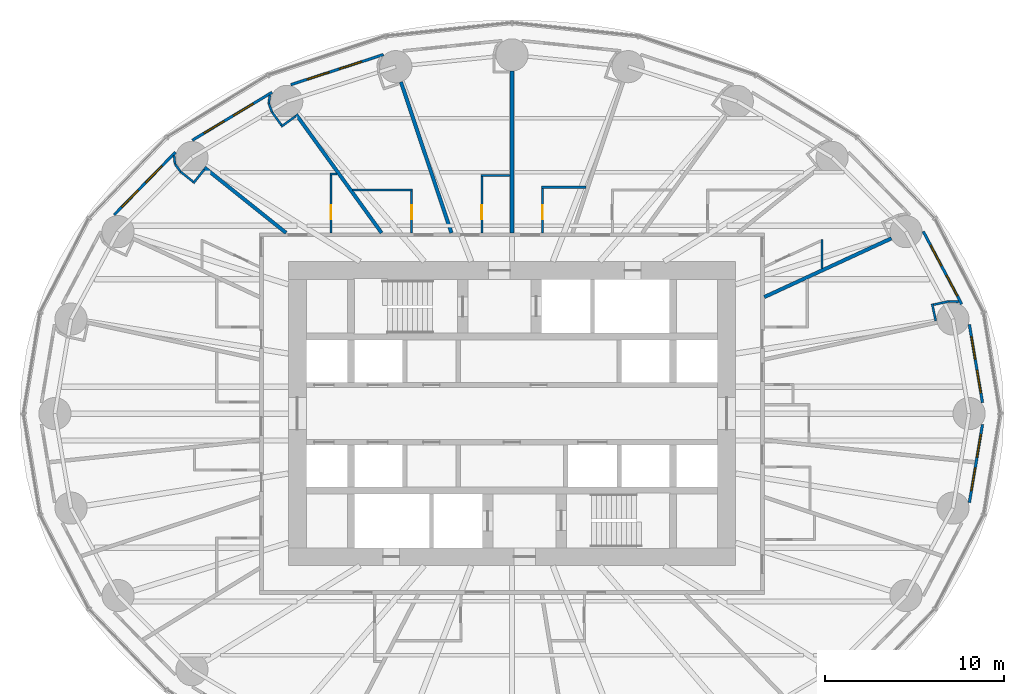
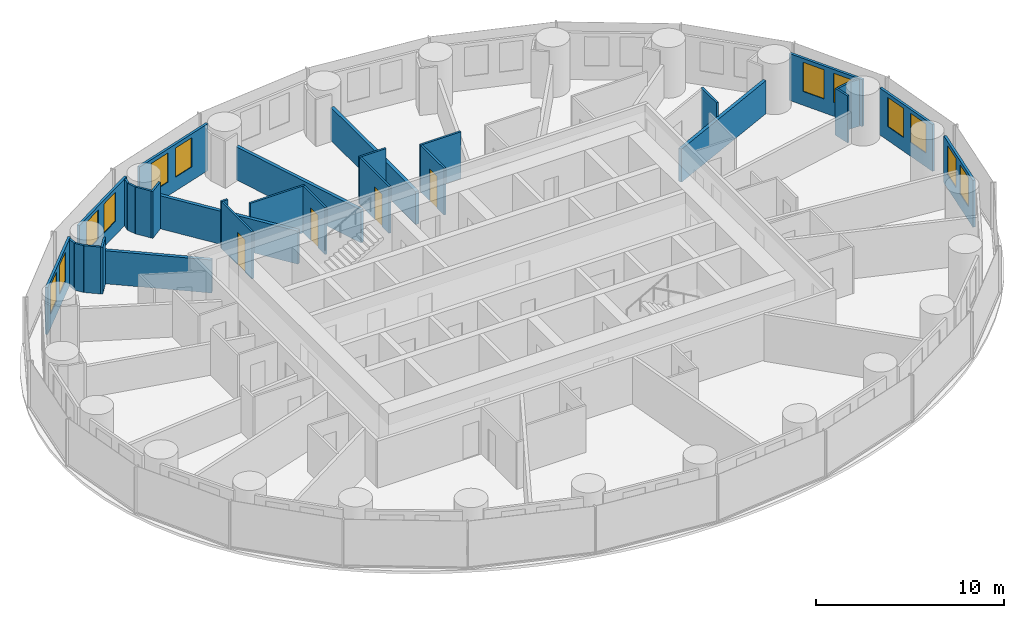
# One storey, part 10 of 13: 31 walls, 12 windows, 4 doors, 16 openings.
"""IFC4 building model written with IfcOpenShell, lengths in metres."""

from ifc_helpers import new_model, si_unit, direction, frame, frame_2d, origin, place, context, subcontext, project, spatial, rectangle, extrude, material, layer, layer_set, type_object, element, fill, save


model = new_model("IFC4")

# Units and contexts
model_context = context("Model", 3, precision=1e-05, world=origin(), true_north=direction((0.0, 1.0)))
body_context = subcontext(model_context, "Body", "Model", "MODEL_VIEW")
ifc_project = project(units=[si_unit("LENGTHUNIT", "METRE"), si_unit("AREAUNIT", "SQUARE_METRE"), si_unit("VOLUMEUNIT", "CUBIC_METRE"), si_unit("PLANEANGLEUNIT", "RADIAN"), si_unit("MASSUNIT", "GRAM", prefix="KILO")], contexts=[model_context])

# Site, building, storey
site_placement = place(None, origin())
site = spatial("IfcSite", under=ifc_project, at=site_placement, CompositionType="ELEMENT")
building_placement = place(site_placement, origin())
building = spatial("IfcBuilding", under=site, at=building_placement, Name="Hankou Lantern Tower", CompositionType="ELEMENT")
storey_placement = place(building_placement, frame((0.0, 0.0, 42.60009765625)))
storey = spatial("IfcBuildingStorey", under=building, at=storey_placement, Name="L09", CompositionType="ELEMENT", Elevation=42.60009765625)

# Wall, openings, windows
ifc_material_1 = material(Name="Aluminium spandrel panel on steel studs", Category="steel")
ifc_layer_1 = layer(ifc_material_1, 0.14990234375)
ifc_layer_set_1 = layer_set([ifc_layer_1], Name="Aluminium spandrel panel on steel studs")
wall_type_1 = type_object("IfcWallType", Name="EW1 INNER SKIN WALL 150", PredefinedType="ELEMENTEDWALL", material=ifc_layer_set_1)
wall_1_placement = place(storey_placement, frame((26.29736328125, 0.611083984375, 0.0), z_axis=(0.0, 0.0, 1.0), x_axis=(-0.165641751141, 0.986185991727, 0.0)))
wall_1 = element("IfcWall", 1, at=wall_1_placement, inside=storey, type_object=wall_type_1, Name="Inner skin R01-R02 L09", PredefinedType="ELEMENTEDWALL", context=body_context, shape_type="SweptSolid", body=[
    extrude(rectangle(XDim=4.427734375, YDim=0.14990234375, at=frame_2d((2.2138671875, 0.0))), origin(), (0.0, 0.0, 1.0), 3.0498046875),
])
opening_1_placement = place(wall_1_placement, frame((0.5498046875, 0.0, 0.89990234375)))
opening_1 = element("IfcOpeningElement", 2, at=opening_1_placement, cuts=wall_1, Name="Opening W9", PredefinedType="OPENING", context=body_context, shape_type="SweptSolid", body=[
    extrude(rectangle(XDim=1.300048828125, YDim=1.89990234375, at=frame_2d((0.64990234375, 0.949951171875))), frame((0.0, 0.0849609375, 0.0), z_axis=(0.0, -1.0, 0.0), x_axis=(1.0, 0.0, 0.0)), (0.0, 0.0, 1.0), 0.169921875),
])
opening_2_placement = place(wall_1_placement, frame((2.44970703125, 0.0, 0.89990234375)))
opening_2 = element("IfcOpeningElement", 3, at=opening_2_placement, cuts=wall_1, Name="Opening W9", PredefinedType="OPENING", context=body_context, shape_type="SweptSolid", body=[
    extrude(rectangle(XDim=1.300048828125, YDim=1.89990234375, at=frame_2d((0.64990234375, 0.949951171875))), frame((0.0, 0.0849609375, 0.0), z_axis=(0.0, -1.0, 0.0), x_axis=(1.0, 0.0, 0.0)), (0.0, 0.0, 1.0), 0.169921875),
])
ifc_material_2 = material(Name="Aluminium framed double glazed window", Category="aluminium")
window_type = type_object("IfcWindowType", Name="W9 GUEST ROOM WINDOW 1300X1900", PartitioningType="DOUBLE_PANEL_VERTICAL", PredefinedType="WINDOW", material=ifc_material_2)
window_1_placement = place(opening_1_placement, origin())
window_1 = element("IfcWindow", 4, at=window_1_placement, inside=storey, type_object=window_type, Name="Window R01.1 L09", OverallHeight=1.89990234375, OverallWidth=1.300048828125, PartitioningType="SINGLE_PANEL", PredefinedType="WINDOW", context=body_context, shape_type="SweptSolid", body=[
    extrude(rectangle(XDim=1.300048828125, YDim=1.89990234375, at=frame_2d((0.64990234375, 0.949951171875))), frame((0.0, 0.030029296875, 0.0), z_axis=(0.0, -1.0, 0.0), x_axis=(1.0, 0.0, 0.0)), (0.0, 0.0, 1.0), 0.06005859375),
])
fill(opening_1, window_1)
window_2_placement = place(opening_2_placement, origin())
window_2 = element("IfcWindow", 5, at=window_2_placement, inside=storey, type_object=window_type, Name="Window R01.2 L09", OverallHeight=1.89990234375, OverallWidth=1.300048828125, PartitioningType="SINGLE_PANEL", PredefinedType="WINDOW", context=body_context, shape_type="SweptSolid", body=[
    extrude(rectangle(XDim=1.300048828125, YDim=1.89990234375, at=frame_2d((0.64990234375, 0.949951171875))), frame((0.0, 0.030029296875, 0.0), z_axis=(0.0, -1.0, 0.0), x_axis=(1.0, 0.0, 0.0)), (0.0, 0.0, 1.0), 0.06005859375),
])
fill(opening_2, window_2)

wall_2_placement = place(storey_placement, frame((25.138671875, 6.11279296875, 0.0), z_axis=(0.0, 0.0, 1.0), x_axis=(-0.467303182954, 0.884097129959, 0.0)))
wall_2 = element("IfcWall", 6, at=wall_2_placement, inside=storey, type_object=wall_type_1, Name="Inner skin R02-R03 L09", PredefinedType="ELEMENTEDWALL", context=body_context, shape_type="SweptSolid", body=[
    extrude(rectangle(XDim=4.6064453125, YDim=0.14990234375, at=frame_2d((2.30322265625, 0.0))), origin(), (0.0, 0.0, 1.0), 3.0498046875),
])
opening_3_placement = place(wall_2_placement, frame((0.531494140625, 0.0, 0.89990234375)))
opening_3 = element("IfcOpeningElement", 7, at=opening_3_placement, cuts=wall_2, Name="Opening W9", PredefinedType="OPENING", context=body_context, shape_type="SweptSolid", body=[
    extrude(rectangle(XDim=1.300048828125, YDim=1.89990234375, at=frame_2d((0.64990234375, 0.949951171875))), frame((0.0, 0.0849609375, 0.0), z_axis=(0.0, -1.0, 0.0), x_axis=(1.0, 0.0, 0.0)), (0.0, 0.0, 1.0), 0.169921875),
])
opening_4_placement = place(wall_2_placement, frame((2.431640625, 0.0, 0.89990234375)))
opening_4 = element("IfcOpeningElement", 8, at=opening_4_placement, cuts=wall_2, Name="Opening W9", PredefinedType="OPENING", context=body_context, shape_type="SweptSolid", body=[
    extrude(rectangle(XDim=1.300048828125, YDim=1.89990234375, at=frame_2d((0.64990234375, 0.949951171875))), frame((0.0, 0.0849609375, 0.0), z_axis=(0.0, -1.0, 0.0), x_axis=(1.0, 0.0, 0.0)), (0.0, 0.0, 1.0), 0.169921875),
])
window_3_placement = place(opening_3_placement, origin())
window_3 = element("IfcWindow", 9, at=window_3_placement, inside=storey, type_object=window_type, Name="Window R02.1 L09", OverallHeight=1.89990234375, OverallWidth=1.300048828125, PartitioningType="SINGLE_PANEL", PredefinedType="WINDOW", context=body_context, shape_type="SweptSolid", body=[
    extrude(rectangle(XDim=1.300048828125, YDim=1.89990234375, at=frame_2d((0.64990234375, 0.949951171875))), frame((0.0, 0.030029296875, 0.0), z_axis=(0.0, -1.0, 0.0), x_axis=(1.0, 0.0, 0.0)), (0.0, 0.0, 1.0), 0.06005859375),
])
fill(opening_3, window_3)
window_4_placement = place(opening_4_placement, origin())
window_4 = element("IfcWindow", 10, at=window_4_placement, inside=storey, type_object=window_type, Name="Window R02.2 L09", OverallHeight=1.89990234375, OverallWidth=1.300048828125, PartitioningType="SINGLE_PANEL", PredefinedType="WINDOW", context=body_context, shape_type="SweptSolid", body=[
    extrude(rectangle(XDim=1.300048828125, YDim=1.89990234375, at=frame_2d((0.64990234375, 0.949951171875))), frame((0.0, 0.030029296875, 0.0), z_axis=(0.0, -1.0, 0.0), x_axis=(1.0, 0.0, 0.0)), (0.0, 0.0, 1.0), 0.06005859375),
])
fill(opening_4, window_4)

wall_3_placement = place(storey_placement, frame((-7.188232421875, 20.06494140625, 0.0), z_axis=(0.0, 0.0, 1.0), x_axis=(-0.951138486029, -0.308764603532, 0.0)))
wall_3 = element("IfcWall", 11, at=wall_3_placement, inside=storey, type_object=wall_type_1, Name="Inner skin R08-R09 L09", PredefinedType="ELEMENTEDWALL", context=body_context, shape_type="SweptSolid", body=[
    extrude(rectangle(XDim=5.444091796875, YDim=0.14990234375, at=frame_2d((2.72216796875, 0.0))), origin(), (0.0, 0.0, 1.0), 3.0498046875),
])
opening_5_placement = place(wall_3_placement, frame((1.2841796875, 0.0, 0.89990234375)))
opening_5 = element("IfcOpeningElement", 12, at=opening_5_placement, cuts=wall_3, Name="Opening W9", PredefinedType="OPENING", context=body_context, shape_type="SweptSolid", body=[
    extrude(rectangle(XDim=1.300048828125, YDim=1.89990234375, at=frame_2d((0.64990234375, 0.949951171875))), frame((0.0, 0.0849609375, 0.0), z_axis=(0.0, -1.0, 0.0), x_axis=(1.0, 0.0, 0.0)), (0.0, 0.0, 1.0), 0.169921875),
])
opening_6_placement = place(wall_3_placement, frame((3.18408203125, 0.0, 0.89990234375)))
opening_6 = element("IfcOpeningElement", 13, at=opening_6_placement, cuts=wall_3, Name="Opening W9", PredefinedType="OPENING", context=body_context, shape_type="SweptSolid", body=[
    extrude(rectangle(XDim=1.300048828125, YDim=1.89990234375, at=frame_2d((0.64990234375, 0.949951171875))), frame((0.0, 0.0849609375, 0.0), z_axis=(0.0, -1.0, 0.0), x_axis=(1.0, 0.0, 0.0)), (0.0, 0.0, 1.0), 0.169921875),
])
window_5_placement = place(opening_5_placement, origin())
window_5 = element("IfcWindow", 14, at=window_5_placement, inside=storey, type_object=window_type, Name="Window R08.1 L09", OverallHeight=1.89990234375, OverallWidth=1.300048828125, PartitioningType="SINGLE_PANEL", PredefinedType="WINDOW", context=body_context, shape_type="SweptSolid", body=[
    extrude(rectangle(XDim=1.300048828125, YDim=1.89990234375, at=frame_2d((0.64990234375, 0.949951171875))), frame((0.0, 0.030029296875, 0.0), z_axis=(0.0, -1.0, 0.0), x_axis=(1.0, 0.0, 0.0)), (0.0, 0.0, 1.0), 0.06005859375),
])
fill(opening_5, window_5)
window_6_placement = place(opening_6_placement, origin())
window_6 = element("IfcWindow", 15, at=window_6_placement, inside=storey, type_object=window_type, Name="Window R08.2 L09", OverallHeight=1.89990234375, OverallWidth=1.300048828125, PartitioningType="SINGLE_PANEL", PredefinedType="WINDOW", context=body_context, shape_type="SweptSolid", body=[
    extrude(rectangle(XDim=1.300048828125, YDim=1.89990234375, at=frame_2d((0.64990234375, 0.949951171875))), frame((0.0, 0.030029296875, 0.0), z_axis=(0.0, -1.0, 0.0), x_axis=(1.0, 0.0, 0.0)), (0.0, 0.0, 1.0), 0.06005859375),
])
fill(opening_6, window_6)

wall_4_placement = place(storey_placement, frame((-13.412109375, 17.957275390625, 0.0), z_axis=(0.0, 0.0, 1.0), x_axis=(-0.856958191554, -0.515385931054, 0.0)))
wall_4 = element("IfcWall", 16, at=wall_4_placement, inside=storey, type_object=wall_type_1, Name="Inner skin R09-R10 L09", PredefinedType="ELEMENTEDWALL", context=body_context, shape_type="SweptSolid", body=[
    extrude(rectangle(XDim=5.201171875, YDim=0.14990234375, at=frame_2d((2.6005859375, 0.0))), origin(), (0.0, 0.0, 1.0), 3.0498046875),
])
opening_7_placement = place(wall_4_placement, frame((1.22509765625, 0.0, 0.89990234375)))
opening_7 = element("IfcOpeningElement", 17, at=opening_7_placement, cuts=wall_4, Name="Opening W9", PredefinedType="OPENING", context=body_context, shape_type="SweptSolid", body=[
    extrude(rectangle(XDim=1.300048828125, YDim=1.89990234375, at=frame_2d((0.64990234375, 0.949951171875))), frame((0.0, 0.0849609375, 0.0), z_axis=(0.0, -1.0, 0.0), x_axis=(1.0, 0.0, 0.0)), (0.0, 0.0, 1.0), 0.169921875),
])
opening_8_placement = place(wall_4_placement, frame((3.125, 0.0, 0.89990234375)))
opening_8 = element("IfcOpeningElement", 18, at=opening_8_placement, cuts=wall_4, Name="Opening W9", PredefinedType="OPENING", context=body_context, shape_type="SweptSolid", body=[
    extrude(rectangle(XDim=1.300048828125, YDim=1.89990234375, at=frame_2d((0.64990234375, 0.949951171875))), frame((0.0, 0.0849609375, 0.0), z_axis=(0.0, -1.0, 0.0), x_axis=(1.0, 0.0, 0.0)), (0.0, 0.0, 1.0), 0.169921875),
])
window_7_placement = place(opening_7_placement, origin())
window_7 = element("IfcWindow", 19, at=window_7_placement, inside=storey, type_object=window_type, Name="Window R09.1 L09", OverallHeight=1.89990234375, OverallWidth=1.300048828125, PartitioningType="SINGLE_PANEL", PredefinedType="WINDOW", context=body_context, shape_type="SweptSolid", body=[
    extrude(rectangle(XDim=1.300048828125, YDim=1.89990234375, at=frame_2d((0.64990234375, 0.949951171875))), frame((0.0, 0.030029296875, 0.0), z_axis=(0.0, -1.0, 0.0), x_axis=(1.0, 0.0, 0.0)), (0.0, 0.0, 1.0), 0.06005859375),
])
fill(opening_7, window_7)
window_8_placement = place(opening_8_placement, origin())
window_8 = element("IfcWindow", 20, at=window_8_placement, inside=storey, type_object=window_type, Name="Window R09.2 L09", OverallHeight=1.89990234375, OverallWidth=1.300048828125, PartitioningType="SINGLE_PANEL", PredefinedType="WINDOW", context=body_context, shape_type="SweptSolid", body=[
    extrude(rectangle(XDim=1.300048828125, YDim=1.89990234375, at=frame_2d((0.64990234375, 0.949951171875))), frame((0.0, 0.030029296875, 0.0), z_axis=(0.0, -1.0, 0.0), x_axis=(1.0, 0.0, 0.0)), (0.0, 0.0, 1.0), 0.06005859375),
])
fill(opening_8, window_8)

wall_5_placement = place(storey_placement, frame((-18.8134765625, 14.606689453125, 0.0), z_axis=(0.0, 0.0, 1.0), x_axis=(-0.699612594083, -0.714522370679, 0.0)))
wall_5 = element("IfcWall", 21, at=wall_5_placement, inside=storey, type_object=wall_type_1, Name="Inner skin R10-R11 L09", PredefinedType="ELEMENTEDWALL", context=body_context, shape_type="SweptSolid", body=[
    extrude(rectangle(XDim=4.89599609375, YDim=0.14990234375, at=frame_2d((2.447998046875, 0.0))), origin(), (0.0, 0.0, 1.0), 3.0498046875),
])
opening_9_placement = place(wall_5_placement, frame((1.076904296875, 0.0, 0.89990234375)))
opening_9 = element("IfcOpeningElement", 22, at=opening_9_placement, cuts=wall_5, Name="Opening W9", PredefinedType="OPENING", context=body_context, shape_type="SweptSolid", body=[
    extrude(rectangle(XDim=1.300048828125, YDim=1.89990234375, at=frame_2d((0.64990234375, 0.949951171875))), frame((0.0, 0.0849609375, 0.0), z_axis=(0.0, -1.0, 0.0), x_axis=(1.0, 0.0, 0.0)), (0.0, 0.0, 1.0), 0.169921875),
])
opening_10_placement = place(wall_5_placement, frame((2.976806640625, 0.0, 0.89990234375)))
opening_10 = element("IfcOpeningElement", 23, at=opening_10_placement, cuts=wall_5, Name="Opening W9", PredefinedType="OPENING", context=body_context, shape_type="SweptSolid", body=[
    extrude(rectangle(XDim=1.300048828125, YDim=1.89990234375, at=frame_2d((0.64990234375, 0.949951171875))), frame((0.0, 0.0849609375, 0.0), z_axis=(0.0, -1.0, 0.0), x_axis=(1.0, 0.0, 0.0)), (0.0, 0.0, 1.0), 0.169921875),
])
window_9_placement = place(opening_9_placement, origin())
window_9 = element("IfcWindow", 24, at=window_9_placement, inside=storey, type_object=window_type, Name="Window R10.1 L09", OverallHeight=1.89990234375, OverallWidth=1.300048828125, PartitioningType="SINGLE_PANEL", PredefinedType="WINDOW", context=body_context, shape_type="SweptSolid", body=[
    extrude(rectangle(XDim=1.300048828125, YDim=1.89990234375, at=frame_2d((0.64990234375, 0.949951171875))), frame((0.0, 0.030029296875, 0.0), z_axis=(0.0, -1.0, 0.0), x_axis=(1.0, 0.0, 0.0)), (0.0, 0.0, 1.0), 0.06005859375),
])
fill(opening_9, window_9)
window_10_placement = place(opening_10_placement, origin())
window_10 = element("IfcWindow", 25, at=window_10_placement, inside=storey, type_object=window_type, Name="Window R10.2 L09", OverallHeight=1.89990234375, OverallWidth=1.300048828125, PartitioningType="SINGLE_PANEL", PredefinedType="WINDOW", context=body_context, shape_type="SweptSolid", body=[
    extrude(rectangle(XDim=1.300048828125, YDim=1.89990234375, at=frame_2d((0.64990234375, 0.949951171875))), frame((0.0, 0.030029296875, 0.0), z_axis=(0.0, -1.0, 0.0), x_axis=(1.0, 0.0, 0.0)), (0.0, 0.0, 1.0), 0.06005859375),
])
fill(opening_10, window_10)

wall_6_placement = place(storey_placement, frame((25.56396484375, -4.9775390625, 0.0), z_axis=(0.0, 0.0, 1.0), x_axis=(0.165641751141, 0.986185991727, 0.0)))
wall_6 = element("IfcWall", 26, at=wall_6_placement, inside=storey, type_object=wall_type_1, Name="Inner skin R24-R01 L09", PredefinedType="ELEMENTEDWALL", context=body_context, shape_type="SweptSolid", body=[
    extrude(rectangle(XDim=4.427734375, YDim=0.14990234375, at=frame_2d((2.2138671875, 0.0))), origin(), (0.0, 0.0, 1.0), 3.0498046875),
])
opening_11_placement = place(wall_6_placement, frame((0.677734375, 0.0, 0.89990234375)))
opening_11 = element("IfcOpeningElement", 27, at=opening_11_placement, cuts=wall_6, Name="Opening W9", PredefinedType="OPENING", context=body_context, shape_type="SweptSolid", body=[
    extrude(rectangle(XDim=1.300048828125, YDim=1.89990234375, at=frame_2d((0.64990234375, 0.949951171875))), frame((0.0, 0.0849609375, 0.0), z_axis=(0.0, -1.0, 0.0), x_axis=(1.0, 0.0, 0.0)), (0.0, 0.0, 1.0), 0.169921875),
])
opening_12_placement = place(wall_6_placement, frame((2.57763671875, 0.0, 0.89990234375)))
opening_12 = element("IfcOpeningElement", 28, at=opening_12_placement, cuts=wall_6, Name="Opening W9", PredefinedType="OPENING", context=body_context, shape_type="SweptSolid", body=[
    extrude(rectangle(XDim=1.300048828125, YDim=1.89990234375, at=frame_2d((0.64990234375, 0.949951171875))), frame((0.0, 0.0849609375, 0.0), z_axis=(0.0, -1.0, 0.0), x_axis=(1.0, 0.0, 0.0)), (0.0, 0.0, 1.0), 0.169921875),
])
window_11_placement = place(opening_11_placement, origin())
window_11 = element("IfcWindow", 29, at=window_11_placement, inside=storey, type_object=window_type, Name="Window R24.1 L09", OverallHeight=1.89990234375, OverallWidth=1.300048828125, PartitioningType="SINGLE_PANEL", PredefinedType="WINDOW", context=body_context, shape_type="SweptSolid", body=[
    extrude(rectangle(XDim=1.300048828125, YDim=1.89990234375, at=frame_2d((0.64990234375, 0.949951171875))), frame((0.0, 0.030029296875, 0.0), z_axis=(0.0, -1.0, 0.0), x_axis=(1.0, 0.0, 0.0)), (0.0, 0.0, 1.0), 0.06005859375),
])
fill(opening_11, window_11)
window_12_placement = place(opening_12_placement, origin())
window_12 = element("IfcWindow", 30, at=window_12_placement, inside=storey, type_object=window_type, Name="Window R24.2 L09", OverallHeight=1.89990234375, OverallWidth=1.300048828125, PartitioningType="SINGLE_PANEL", PredefinedType="WINDOW", context=body_context, shape_type="SweptSolid", body=[
    extrude(rectangle(XDim=1.300048828125, YDim=1.89990234375, at=frame_2d((0.64990234375, 0.949951171875))), frame((0.0, 0.030029296875, 0.0), z_axis=(0.0, -1.0, 0.0), x_axis=(1.0, 0.0, 0.0)), (0.0, 0.0, 1.0), 0.06005859375),
])
fill(opening_12, window_12)

# Walls
ifc_material_3 = material(Name="Masonry lightweight concrete block", Category="masonry")
ifc_layer_2 = layer(ifc_material_3, 0.199951171875)
ifc_layer_set_2 = layer_set([ifc_layer_2], Name="Masonry lightweight concrete block")
wall_type_2 = type_object("IfcWallType", Name="IW1 GUEST ROOM PARTY WALL 200", PredefinedType="PARTITIONING", material=ifc_layer_set_2)
wall_7_placement = place(storey_placement, frame((14.10009765625, 6.512451171875, 0.0), z_axis=(0.0, 0.0, 1.0), x_axis=(0.907842433118, 0.41931147925, 0.0)))
element("IfcWall", 31, at=wall_7_placement, inside=storey, type_object=wall_type_2, Name="Party wall R03", PredefinedType="PARTITIONING", context=body_context, shape_type="SweptSolid", body=[
    extrude(rectangle(XDim=7.822998046875, YDim=0.199951171875, at=frame_2d((3.91162109375, 0.0))), origin(), (0.0, 0.0, 1.0), 2.14990234375),
])
wall_8_placement = place(storey_placement, frame((0.0, 10.10009765625, 0.0), z_axis=(0.0, 0.0, 1.0), x_axis=(0.0, 1.0, 0.0)))
element("IfcWall", 32, at=wall_8_placement, inside=storey, type_object=wall_type_2, Name="Party wall R07", PredefinedType="PARTITIONING", context=body_context, shape_type="SweptSolid", body=[
    extrude(rectangle(XDim=9.0498046875, YDim=0.199951171875, at=frame_2d((4.52490234375, 0.0))), origin(), (0.0, 0.0, 1.0), 2.14990234375),
])
wall_9_placement = place(storey_placement, frame((-3.3828125, 10.10009765625, 0.0), z_axis=(0.0, 0.0, 1.0), x_axis=(-0.317593727596, 0.948226884344, 0.0)))
element("IfcWall", 33, at=wall_9_placement, inside=storey, type_object=wall_type_2, Name="Party wall R08", PredefinedType="PARTITIONING", context=body_context, shape_type="SweptSolid", body=[
    extrude(rectangle(XDim=8.898681640625, YDim=0.199951171875, at=frame_2d((4.44921875, 0.0))), origin(), (0.0, 0.0, 1.0), 2.14990234375),
])
wall_10_placement = place(storey_placement, frame((-7.2890625, 10.10009765625, 0.0), z_axis=(0.0, 0.0, 1.0), x_axis=(-0.585216319319, 0.810877216108, 0.0)))
element("IfcWall", 34, at=wall_10_placement, inside=storey, type_object=wall_type_2, Name="Party wall R09", PredefinedType="PARTITIONING", context=body_context, shape_type="SweptSolid", body=[
    extrude(rectangle(XDim=8.15966796875, YDim=0.199951171875, at=frame_2d((4.079833984375, 0.0))), origin(), (0.0, 0.0, 1.0), 2.14990234375),
])
wall_11_placement = place(storey_placement, frame((-12.625, 10.10009765625, 0.0), z_axis=(0.0, 0.0, 1.0), x_axis=(-0.780872884676, 0.624689953479, 0.0)))
element("IfcWall", 35, at=wall_11_placement, inside=storey, type_object=wall_type_2, Name="Party wall R10", PredefinedType="PARTITIONING", context=body_context, shape_type="SweptSolid", body=[
    extrude(rectangle(XDim=5.8447265625, YDim=0.199951171875, at=frame_2d((2.92236328125, 0.0))), origin(), (0.0, 0.0, 1.0), 2.14990234375),
])
ifc_material_4 = material(Name="Masonry lightweight concrete block", Category="masonry")
ifc_layer_3 = layer(ifc_material_4, 0.1201171875)
ifc_layer_set_3 = layer_set([ifc_layer_3], Name="Masonry lightweight concrete block")
wall_type_3 = type_object("IfcWallType", Name="IW3 BATHROOM WALL 120", PredefinedType="PARTITIONING", material=ifc_layer_set_3)
wall_12_placement = place(storey_placement, frame((17.32275390625, 8.10107421875, 0.0), z_axis=(0.0, 0.0, 1.0), x_axis=(0.0, 1.0, 0.0)))
element("IfcWall", 36, at=wall_12_placement, inside=storey, type_object=wall_type_3, Name="Box wall 0903 1", PredefinedType="PARTITIONING", context=body_context, shape_type="SweptSolid", body=[
    extrude(rectangle(XDim=1.639892578125, YDim=0.1201171875, at=frame_2d((0.81982421875, 0.0))), origin(), (0.0, 0.0, 1.0), 3.0498046875),
])
wall_13_placement = place(storey_placement, frame((4.136962890625, 12.64990234375, 0.0), z_axis=(0.0, 0.0, 1.0), x_axis=(-1.0, 0.0, 0.0)))
element("IfcWall", 37, at=wall_13_placement, inside=storey, type_object=wall_type_3, Name="Box wall 0906 1", PredefinedType="PARTITIONING", context=body_context, shape_type="SweptSolid", body=[
    extrude(rectangle(XDim=2.494140625, YDim=0.1201171875, at=frame_2d((1.2470703125, 0.0))), origin(), (0.0, 0.0, 1.0), 3.0498046875),
])

# Wall, opening, door
wall_14_placement = place(storey_placement, frame((1.702880859375, 10.10009765625, 0.0), z_axis=(0.0, 0.0, 1.0), x_axis=(0.0, 1.0, 0.0)))
wall_14 = element("IfcWall", 38, at=wall_14_placement, inside=storey, type_object=wall_type_3, Name="Box wall 0906 1", PredefinedType="PARTITIONING", context=body_context, shape_type="SweptSolid", body=[
    extrude(rectangle(XDim=2.489990234375, YDim=0.1201171875, at=frame_2d((1.2451171875, 0.0))), origin(), (0.0, 0.0, 1.0), 3.0498046875),
])
opening_13_placement = place(wall_14_placement, frame((0.75, 0.0, 0.0)))
opening_13 = element("IfcOpeningElement", 39, at=opening_13_placement, cuts=wall_14, Name="Opening D3", PredefinedType="OPENING", context=body_context, shape_type="SweptSolid", body=[
    extrude(rectangle(XDim=0.800048828125, YDim=2.10009765625, at=frame_2d((0.39990234375, 1.050048828125))), frame((0.0, 0.070068359375, 0.0), z_axis=(0.0, -1.0, 0.0), x_axis=(1.0, 0.0, 0.0)), (0.0, 0.0, 1.0), 0.14013671875),
])
ifc_material_5 = material(Name="Timber door leaf", Category="wood")
door_type = type_object("IfcDoorType", Name="D3 BATHROOM DOOR 800X2100", OperationType="SINGLE_SWING_LEFT", PredefinedType="DOOR", material=ifc_material_5)
door_1_placement = place(opening_13_placement, origin())
door_1 = element("IfcDoor", 40, at=door_1_placement, inside=storey, type_object=door_type, Name="En-suite bathroom 0906 door", OperationType="SINGLE_SWING_LEFT", OverallHeight=2.10009765625, OverallWidth=0.800048828125, PredefinedType="DOOR", context=body_context, shape_type="SweptSolid", body=[
    extrude(rectangle(XDim=0.800048828125, YDim=2.10009765625, at=frame_2d((0.39990234375, 1.050048828125))), frame((0.0, 0.02490234375, 0.0), z_axis=(0.0, -1.0, 0.0), x_axis=(1.0, 0.0, 0.0)), (0.0, 0.0, 1.0), 0.050048828125),
])
fill(opening_13, door_1)

# Wall
wall_15_placement = place(storey_placement, frame((-0.10009765625, 13.300048828125, 0.0), z_axis=(0.0, 0.0, 1.0), x_axis=(-1.0, 0.0, 0.0)))
element("IfcWall", 41, at=wall_15_placement, inside=storey, type_object=wall_type_3, Name="Box wall 0907 1", PredefinedType="PARTITIONING", context=body_context, shape_type="SweptSolid", body=[
    extrude(rectangle(XDim=1.639892578125, YDim=0.1201171875, at=frame_2d((0.81982421875, 0.0))), origin(), (0.0, 0.0, 1.0), 3.0498046875),
])

# Wall, opening, door
wall_16_placement = place(storey_placement, frame((-1.679931640625, 10.10009765625, 0.0), z_axis=(0.0, 0.0, 1.0), x_axis=(0.0, 1.0, 0.0)))
wall_16 = element("IfcWall", 42, at=wall_16_placement, inside=storey, type_object=wall_type_3, Name="Box wall 0907 1", PredefinedType="PARTITIONING", context=body_context, shape_type="SweptSolid", body=[
    extrude(rectangle(XDim=3.139892578125, YDim=0.1201171875, at=frame_2d((1.56982421875, 0.0))), origin(), (0.0, 0.0, 1.0), 3.0498046875),
])
opening_14_placement = place(wall_16_placement, frame((0.75, 0.0, 0.0)))
opening_14 = element("IfcOpeningElement", 43, at=opening_14_placement, cuts=wall_16, Name="Opening D3", PredefinedType="OPENING", context=body_context, shape_type="SweptSolid", body=[
    extrude(rectangle(XDim=0.800048828125, YDim=2.10009765625, at=frame_2d((0.39990234375, 1.050048828125))), frame((0.0, 0.070068359375, 0.0), z_axis=(0.0, -1.0, 0.0), x_axis=(1.0, 0.0, 0.0)), (0.0, 0.0, 1.0), 0.14013671875),
])
door_2_placement = place(opening_14_placement, origin())
door_2 = element("IfcDoor", 44, at=door_2_placement, inside=storey, type_object=door_type, Name="En-suite bathroom 0907 door", OperationType="SINGLE_SWING_LEFT", OverallHeight=2.10009765625, OverallWidth=0.800048828125, PredefinedType="DOOR", context=body_context, shape_type="SweptSolid", body=[
    extrude(rectangle(XDim=0.800048828125, YDim=2.10009765625, at=frame_2d((0.39990234375, 1.050048828125))), frame((0.0, 0.02490234375, 0.0), z_axis=(0.0, -1.0, 0.0), x_axis=(1.0, 0.0, 0.0)), (0.0, 0.0, 1.0), 0.050048828125),
])
fill(opening_14, door_2)

# Wall
wall_17_placement = place(storey_placement, frame((-8.921142578125, 12.5, 0.0), z_axis=(0.0, 0.0, 1.0), x_axis=(1.0, 0.0, 0.0)))
element("IfcWall", 45, at=wall_17_placement, inside=storey, type_object=wall_type_3, Name="Box wall 0908 1", PredefinedType="PARTITIONING", context=body_context, shape_type="SweptSolid", body=[
    extrude(rectangle(XDim=3.3720703125, YDim=0.1201171875, at=frame_2d((1.68603515625, 0.0))), origin(), (0.0, 0.0, 1.0), 3.0498046875),
])

# Wall, opening, door
wall_18_placement = place(storey_placement, frame((-5.609130859375, 10.10009765625, 0.0), z_axis=(0.0, 0.0, 1.0), x_axis=(0.0, 1.0, 0.0)))
wall_18 = element("IfcWall", 46, at=wall_18_placement, inside=storey, type_object=wall_type_3, Name="Box wall 0908 1", PredefinedType="PARTITIONING", context=body_context, shape_type="SweptSolid", body=[
    extrude(rectangle(XDim=2.33984375, YDim=0.1201171875, at=frame_2d((1.169921875, 0.0))), origin(), (0.0, 0.0, 1.0), 3.0498046875),
])
opening_15_placement = place(wall_18_placement, frame((0.75, 0.0, 0.0)))
opening_15 = element("IfcOpeningElement", 47, at=opening_15_placement, cuts=wall_18, Name="Opening D3", PredefinedType="OPENING", context=body_context, shape_type="SweptSolid", body=[
    extrude(rectangle(XDim=0.800048828125, YDim=2.10009765625, at=frame_2d((0.39990234375, 1.050048828125))), frame((0.0, 0.070068359375, 0.0), z_axis=(0.0, -1.0, 0.0), x_axis=(1.0, 0.0, 0.0)), (0.0, 0.0, 1.0), 0.14013671875),
])
door_3_placement = place(opening_15_placement, origin())
door_3 = element("IfcDoor", 48, at=door_3_placement, inside=storey, type_object=door_type, Name="En-suite bathroom 0908 door", OperationType="SINGLE_SWING_LEFT", OverallHeight=2.10009765625, OverallWidth=0.800048828125, PredefinedType="DOOR", context=body_context, shape_type="SweptSolid", body=[
    extrude(rectangle(XDim=0.800048828125, YDim=2.10009765625, at=frame_2d((0.39990234375, 1.050048828125))), frame((0.0, 0.02490234375, 0.0), z_axis=(0.0, -1.0, 0.0), x_axis=(1.0, 0.0, 0.0)), (0.0, 0.0, 1.0), 0.050048828125),
])
fill(opening_15, door_3)

# Wall
wall_19_placement = place(storey_placement, frame((-9.7705078125, 13.39990234375, 0.0), z_axis=(0.0, 0.0, 1.0), x_axis=(-1.0, 0.0, 0.0)))
element("IfcWall", 49, at=wall_19_placement, inside=storey, type_object=wall_type_3, Name="Box wall 0909 1", PredefinedType="PARTITIONING", context=body_context, shape_type="SweptSolid", body=[
    extrude(rectangle(XDim=0.408447265625, YDim=0.1201171875, at=frame_2d((0.2041015625, 0.0))), origin(), (0.0, 0.0, 1.0), 3.0498046875),
])

# Wall, opening, door
wall_20_placement = place(storey_placement, frame((-10.119140625, 10.10009765625, 0.0), z_axis=(0.0, 0.0, 1.0), x_axis=(0.0, 1.0, 0.0)))
wall_20 = element("IfcWall", 50, at=wall_20_placement, inside=storey, type_object=wall_type_3, Name="Box wall 0909 1", PredefinedType="PARTITIONING", context=body_context, shape_type="SweptSolid", body=[
    extrude(rectangle(XDim=3.239990234375, YDim=0.1201171875, at=frame_2d((1.6201171875, 0.0))), origin(), (0.0, 0.0, 1.0), 3.0498046875),
])
opening_16_placement = place(wall_20_placement, frame((0.75, 0.0, 0.0)))
opening_16 = element("IfcOpeningElement", 51, at=opening_16_placement, cuts=wall_20, Name="Opening D3", PredefinedType="OPENING", context=body_context, shape_type="SweptSolid", body=[
    extrude(rectangle(XDim=0.800048828125, YDim=2.10009765625, at=frame_2d((0.39990234375, 1.050048828125))), frame((0.0, 0.070068359375, 0.0), z_axis=(0.0, -1.0, 0.0), x_axis=(1.0, 0.0, 0.0)), (0.0, 0.0, 1.0), 0.14013671875),
])
door_4_placement = place(opening_16_placement, origin())
door_4 = element("IfcDoor", 52, at=door_4_placement, inside=storey, type_object=door_type, Name="En-suite bathroom 0909 door", OperationType="SINGLE_SWING_LEFT", OverallHeight=2.10009765625, OverallWidth=0.800048828125, PredefinedType="DOOR", context=body_context, shape_type="SweptSolid", body=[
    extrude(rectangle(XDim=0.800048828125, YDim=2.10009765625, at=frame_2d((0.39990234375, 1.050048828125))), frame((0.0, 0.02490234375, 0.0), z_axis=(0.0, -1.0, 0.0), x_axis=(1.0, 0.0, 0.0)), (0.0, 0.0, 1.0), 0.050048828125),
])
fill(opening_16, door_4)

# Walls
ifc_material_6 = material(Name="Masonry lightweight concrete block", Category="masonry")
ifc_layer_4 = layer(ifc_material_6, 0.1201171875)
ifc_layer_set_4 = layer_set([ifc_layer_4], Name="Masonry lightweight concrete block")
wall_type_4 = type_object("IfcWallType", Name="IW4 PARTITION 120", PredefinedType="PARTITIONING", material=ifc_layer_set_4)
wall_21_placement = place(storey_placement, frame((23.687255859375, 5.179931640625, 0.0), z_axis=(0.0, 0.0, 1.0), x_axis=(-0.209443540911, 0.977820741839, 0.0)))
element("IfcWall", 53, at=wall_21_placement, inside=storey, type_object=wall_type_4, Name="Column casing R02 return", PredefinedType="PARTITIONING", context=body_context, shape_type="SweptSolid", body=[
    extrude(rectangle(XDim=0.974609375, YDim=0.1201171875, at=frame_2d((0.4873046875, 0.0))), origin(), (0.0, 0.0, 1.0), 3.0498046875),
])
wall_22_placement = place(storey_placement, frame((23.554443359375, 6.086669921875, 0.0), z_axis=(0.0, 0.0, 1.0), x_axis=(0.977762694187, 0.209714362543, 0.0)))
element("IfcWall", 54, at=wall_22_placement, inside=storey, type_object=wall_type_4, Name="Column casing R02", PredefinedType="PARTITIONING", context=body_context, shape_type="SweptSolid", body=[
    extrude(rectangle(XDim=0.89990234375, YDim=0.1201171875, at=frame_2d((0.449951171875, 0.0))), origin(), (0.0, 0.0, 1.0), 3.0498046875),
])
wall_23_placement = place(storey_placement, frame((24.434326171875, 6.275390625, 0.0), z_axis=(0.0, 0.0, 1.0), x_axis=(0.998714959873, -0.050679669751, 0.0)))
element("IfcWall", 55, at=wall_23_placement, inside=storey, type_object=wall_type_4, Name="Column casing R02", PredefinedType="PARTITIONING", context=body_context, shape_type="SweptSolid", body=[
    extrude(rectangle(XDim=0.525146484375, YDim=0.1201171875, at=frame_2d((0.2626953125, 0.0))), origin(), (0.0, 0.0, 1.0), 3.0498046875),
])
wall_24_placement = place(storey_placement, frame((-12.110107421875, 16.609375, 0.0), z_axis=(0.0, 0.0, 1.0), x_axis=(-0.810897160646, -0.585188683123, 0.0)))
element("IfcWall", 56, at=wall_24_placement, inside=storey, type_object=wall_type_4, Name="Column casing R09 return", PredefinedType="PARTITIONING", context=body_context, shape_type="SweptSolid", body=[
    extrude(rectangle(XDim=0.974609375, YDim=0.1201171875, at=frame_2d((0.4873046875, 0.0))), origin(), (0.0, 0.0, 1.0), 3.0498046875),
])
wall_25_placement = place(storey_placement, frame((-12.886962890625, 16.122802734375, 0.0), z_axis=(0.0, 0.0, 1.0), x_axis=(-0.585054732094, 0.810993810367, 0.0)))
element("IfcWall", 57, at=wall_25_placement, inside=storey, type_object=wall_type_4, Name="Column casing R09", PredefinedType="PARTITIONING", context=body_context, shape_type="SweptSolid", body=[
    extrude(rectangle(XDim=0.900146484375, YDim=0.1201171875, at=frame_2d((0.4501953125, 0.0))), origin(), (0.0, 0.0, 1.0), 3.0498046875),
])
wall_26_placement = place(storey_placement, frame((-13.41357421875, 16.852783203125, 0.0), z_axis=(0.0, 0.0, 1.0), x_axis=(-0.355705277023, 0.934598178844, 0.0)))
element("IfcWall", 58, at=wall_26_placement, inside=storey, type_object=wall_type_4, Name="Column casing R09", PredefinedType="PARTITIONING", context=body_context, shape_type="SweptSolid", body=[
    extrude(rectangle(XDim=0.525146484375, YDim=0.1201171875, at=frame_2d((0.2626953125, 0.0))), origin(), (0.0, 0.0, 1.0), 3.0498046875),
])
wall_27_placement = place(storey_placement, frame((-13.600341796875, 17.343505859375, 0.0), z_axis=(0.0, 0.0, 1.0), x_axis=(0.15994604532, 0.987125758243, 0.0)))
element("IfcWall", 59, at=wall_27_placement, inside=storey, type_object=wall_type_4, Name="Column casing R09", PredefinedType="PARTITIONING", context=body_context, shape_type="SweptSolid", body=[
    extrude(rectangle(XDim=0.46240234375, YDim=0.1201171875, at=frame_2d((0.231201171875, 0.0))), origin(), (0.0, 0.0, 1.0), 3.0498046875),
])
wall_28_placement = place(storey_placement, frame((-17.20458984375, 13.635498046875, 0.0), z_axis=(0.0, 0.0, 1.0), x_axis=(-0.624756144097, -0.780819928289, 0.0)))
element("IfcWall", 60, at=wall_28_placement, inside=storey, type_object=wall_type_4, Name="Column casing R10 return", PredefinedType="PARTITIONING", context=body_context, shape_type="SweptSolid", body=[
    extrude(rectangle(XDim=0.974609375, YDim=0.1201171875, at=frame_2d((0.4873046875, 0.0))), origin(), (0.0, 0.0, 1.0), 3.0498046875),
])
wall_29_placement = place(storey_placement, frame((-17.82275390625, 12.958984375, 0.0), z_axis=(0.0, 0.0, 1.0), x_axis=(-0.780895271023, 0.624661969144, 0.0)))
element("IfcWall", 61, at=wall_29_placement, inside=storey, type_object=wall_type_4, Name="Column casing R10", PredefinedType="PARTITIONING", context=body_context, shape_type="SweptSolid", body=[
    extrude(rectangle(XDim=0.900146484375, YDim=0.1201171875, at=frame_2d((0.4501953125, 0.0))), origin(), (0.0, 0.0, 1.0), 3.0498046875),
])
wall_30_placement = place(storey_placement, frame((-18.525634765625, 13.521240234375, 0.0), z_axis=(0.0, 0.0, 1.0), x_axis=(-0.592532503205, 0.805546542818, 0.0)))
element("IfcWall", 62, at=wall_30_placement, inside=storey, type_object=wall_type_4, Name="Column casing R10", PredefinedType="PARTITIONING", context=body_context, shape_type="SweptSolid", body=[
    extrude(rectangle(XDim=0.52490234375, YDim=0.1201171875, at=frame_2d((0.262451171875, 0.0))), origin(), (0.0, 0.0, 1.0), 3.0498046875),
])
wall_31_placement = place(storey_placement, frame((-18.836669921875, 13.944091796875, 0.0), z_axis=(0.0, 0.0, 1.0), x_axis=(-0.110543348478, 0.993871303594, 0.0)))
element("IfcWall", 63, at=wall_31_placement, inside=storey, type_object=wall_type_4, Name="Column casing R10", PredefinedType="PARTITIONING", context=body_context, shape_type="SweptSolid", body=[
    extrude(rectangle(XDim=0.479248046875, YDim=0.1201171875, at=frame_2d((0.23974609375, 0.0))), origin(), (0.0, 0.0, 1.0), 3.0498046875),
])

save(model, "model.ifc")
